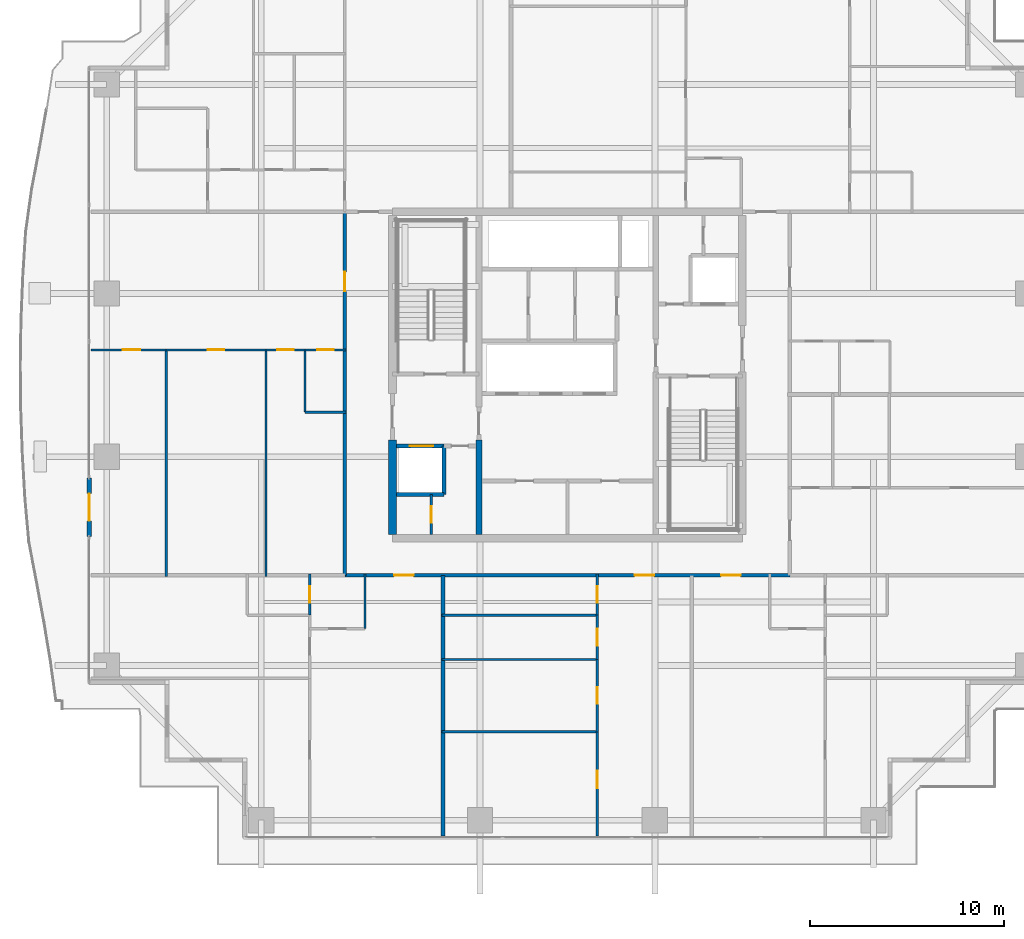
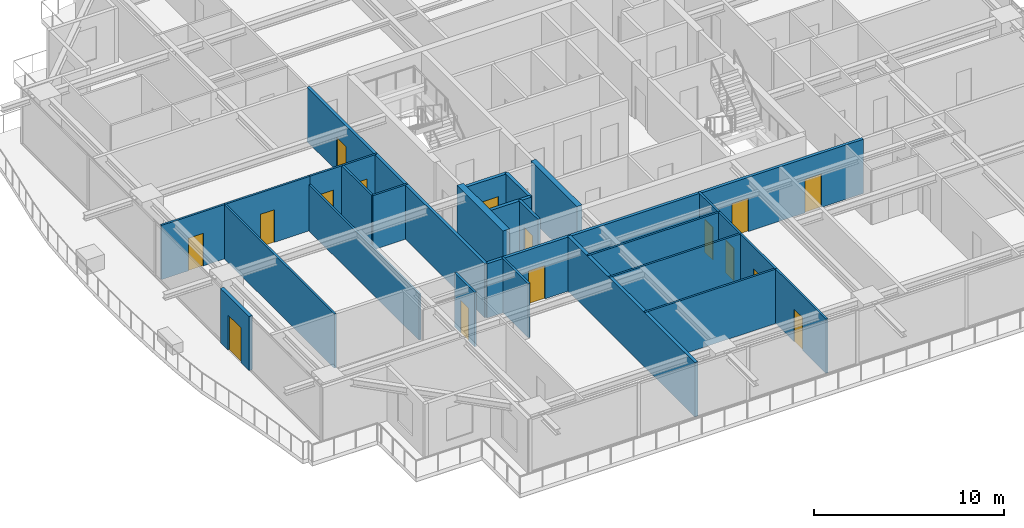
# One storey, part 27 of 37: 27 walls, 16 doors, 16 openings.
"""IFC4 building model written with IfcOpenShell, lengths in metres."""

from ifc_helpers import new_model, si_unit, direction, frame, frame_2d, origin, place, context, subcontext, project, spatial, rectangle, extrude, source, transform, mapped, material, layer, layer_set, type_object, element, fill, save


model = new_model("IFC4")

# Units and contexts
model_context = context("Model", 3, precision=1e-05, world=origin(), true_north=direction((0.0, 1.0)))
body_context = subcontext(model_context, "Body", "Model", "MODEL_VIEW")
ifc_project = project(units=[si_unit("LENGTHUNIT", "METRE"), si_unit("AREAUNIT", "SQUARE_METRE"), si_unit("VOLUMEUNIT", "CUBIC_METRE"), si_unit("PLANEANGLEUNIT", "RADIAN"), si_unit("MASSUNIT", "GRAM", prefix="KILO")], contexts=[model_context])

# Site, building, storey
site_placement = place(None, origin())
site = spatial("IfcSite", under=ifc_project, at=site_placement, CompositionType="ELEMENT")
building_placement = place(site_placement, origin())
building = spatial("IfcBuilding", under=site, at=building_placement, Name="Serunith Strait Residences", CompositionType="ELEMENT")
storey_placement = place(building_placement, frame((0.0, 0.0, 138.89990234375)))
storey = spatial("IfcBuildingStorey", under=building, at=storey_placement, Name="L34", CompositionType="ELEMENT", Elevation=138.89990234375)

# Wall, opening, door
ifc_material_1 = material(Name="Pale-Champagne Aluminium Insulated Panel", Category="aluminium")
ifc_layer_1 = layer(ifc_material_1, 0.219970703125, Name="Pale-Champagne Aluminium Insulated Panel")
ifc_layer_set_1 = layer_set([ifc_layer_1], Name="Pale-Champagne Aluminium Insulated Panel")
wall_type_1 = type_object("IfcWallType", Name="EW-ALUM-220", PredefinedType="ELEMENTEDWALL", material=ifc_layer_set_1)
wall_1_placement = place(storey_placement, frame((7.800048828125, 19.89990234375, 0.0), z_axis=(0.0, 0.0, 1.0), x_axis=(0.0, -1.0, 0.0)))
wall_1 = element("IfcWall", 1, at=wall_1_placement, inside=storey, type_object=wall_type_1, Name="L34 W Facade Pier Wall", PredefinedType="ELEMENTEDWALL", context=body_context, shape_type="SweptSolid", body=[
    extrude(rectangle(XDim=3.0, YDim=0.219970703125, at=frame_2d((1.5, 0.0))), origin(), (0.0, 0.0, 1.0), 3.47509765625),
])
opening_1_placement = place(wall_1_placement, frame((0.800048828125, 0.0, 0.0)))
opening_1 = element("IfcOpeningElement", 2, at=opening_1_placement, cuts=wall_1, Name="Opening ED-04", PredefinedType="OPENING", context=body_context, shape_type="SweptSolid", body=[
    extrude(rectangle(XDim=1.39990234375, YDim=2.25, at=frame_2d((0.699951171875, 1.125))), frame((0.0, 0.1201171875, 0.0), z_axis=(0.0, -1.0, 0.0), x_axis=(1.0, 0.0, 0.0)), (0.0, 0.0, 1.0), 0.239990234375),
])
ifc_material_2 = material(Name="Thermally-Broken Aluminium Sliding Balcony Door", Category="aluminium")
door_type_1 = type_object("IfcDoorType", Name="ED-BALC-1400", OperationType="NOTDEFINED", PredefinedType="DOOR", material=ifc_material_2)
shared_shape_1 = source(origin(), body_context, "Body", "SweptSolid", [
    extrude(rectangle(XDim=1.39990234375, YDim=2.25, at=frame_2d((0.699951171875, 1.125))), frame((0.0, 0.02490234375, 0.0), z_axis=(0.0, -1.0, 0.0), x_axis=(1.0, 0.0, 0.0)), (0.0, 0.0, 1.0), 0.050048828125),
])
door_1_placement = place(opening_1_placement, origin())
door_1 = element("IfcDoor", 3, at=door_1_placement, inside=storey, type_object=door_type_1, Name="L34 W Vertical-Forest Balcony Door", OperationType="SLIDING_TO_LEFT", OverallHeight=2.25, OverallWidth=1.39990234375, PredefinedType="DOOR", context=body_context, shape_type="MappedRepresentation", body=[
    mapped(shared_shape_1, transform((0.0, 0.0, 0.0), scale=1.0)),
])
fill(opening_1, door_1)

ifc_material_3 = material(Name="Fire-rated masonry service closet wall", Category="masonry")
ifc_layer_2 = layer(ifc_material_3, 0.14990234375, Name="Fire-rated masonry service closet wall")
ifc_layer_set_2 = layer_set([ifc_layer_2], Name="Fire-rated masonry service closet wall")
wall_type_2 = type_object("IfcWallType", Name="IW-BOH-150", PredefinedType="PARTITIONING", material=ifc_layer_set_2)
wall_2_placement = place(storey_placement, frame((25.39990234375, 17.0, 0.0), z_axis=(0.0, 0.0, 1.0), x_axis=(0.0, 1.0, 0.0)))
wall_2 = element("IfcWall", 4, at=wall_2_placement, inside=storey, type_object=wall_type_2, Name="L34 Partition Wall 012", PredefinedType="PARTITIONING", context=body_context, shape_type="SweptSolid", body=[
    extrude(rectangle(XDim=2.050048828125, YDim=0.14990234375, at=frame_2d((1.02490234375, 0.0))), origin(), (0.0, 0.0, 1.0), 3.489990234375),
])
opening_2_placement = place(wall_2_placement, frame((0.60009765625, 0.0, 0.0)))
opening_2 = element("IfcOpeningElement", 5, at=opening_2_placement, cuts=wall_2, Name="Opening FD-850", PredefinedType="OPENING", context=body_context, shape_type="SweptSolid", body=[
    extrude(rectangle(XDim=0.85009765625, YDim=2.10009765625, at=frame_2d((0.425048828125, 1.050048828125))), frame((0.0, 0.0849609375, 0.0), z_axis=(0.0, -1.0, 0.0), x_axis=(1.0, 0.0, 0.0)), (0.0, 0.0, 1.0), 0.169921875),
])
ifc_material_4 = material(Name="Powder-coated steel service closet door", Category="steel")
door_type_2 = type_object("IfcDoorType", Name="FD-BOH-850", OperationType="NOTDEFINED", PredefinedType="DOOR", material=ifc_material_4)
shared_shape_2 = source(origin(), body_context, "Body", "SweptSolid", [
    extrude(rectangle(XDim=0.85009765625, YDim=2.10009765625, at=frame_2d((0.425048828125, 1.050048828125))), frame((0.0, 0.02490234375, 0.0), z_axis=(0.0, -1.0, 0.0), x_axis=(1.0, 0.0, 0.0)), (0.0, 0.0, 1.0), 0.050048828125),
])
door_2_placement = place(opening_2_placement, origin())
door_2 = element("IfcDoor", 6, at=door_2_placement, inside=storey, type_object=door_type_2, Name="L34 Sprinkler Plant Door", OperationType="SINGLE_SWING_LEFT", OverallHeight=2.10009765625, OverallWidth=0.85009765625, PredefinedType="DOOR", context=body_context, shape_type="MappedRepresentation", body=[
    mapped(shared_shape_2, transform((0.0, 0.0, 0.0), scale=1.0)),
])
fill(opening_2, door_2)

# Wall, openings, doors
ifc_material_5 = material(Name="Fire-rated acoustic gypsum partition")
ifc_layer_3 = layer(ifc_material_5, 0.179931640625, Name="Fire-rated acoustic gypsum partition")
ifc_layer_set_3 = layer_set([ifc_layer_3], Name="Fire-rated acoustic gypsum partition")
wall_type_3 = type_object("IfcWallType", Name="IW-CORR-180", PredefinedType="PARTITIONING", material=ifc_layer_set_3)
wall_3_placement = place(storey_placement, frame((20.951904296875, 14.89990234375, 0.0), z_axis=(0.0, 0.0, 1.0), x_axis=(1.0, 0.0, 0.0)))
wall_3 = element("IfcWall", 7, at=wall_3_placement, inside=storey, type_object=wall_type_3, Name="L34 Partition Wall 028", PredefinedType="PARTITIONING", context=body_context, shape_type="SweptSolid", body=[
    extrude(rectangle(XDim=22.89599609375, YDim=0.179931640625, at=frame_2d((11.447998046875, 0.0))), origin(), (0.0, 0.0, 1.0), 3.489990234375),
])
opening_3_placement = place(wall_3_placement, frame((2.5400390625, 0.0, 0.0)))
opening_3 = element("IfcOpeningElement", 8, at=opening_3_placement, cuts=wall_3, Name="Opening D-APT1000", PredefinedType="OPENING", context=body_context, shape_type="SweptSolid", body=[
    extrude(rectangle(XDim=1.0, YDim=2.14990234375, at=frame_2d((0.5, 1.074951171875))), frame((0.0, 0.10009765625, 0.0), z_axis=(0.0, -1.0, 0.0), x_axis=(1.0, 0.0, 0.0)), (0.0, 0.0, 1.0), 0.199951171875),
])
opening_4_placement = place(wall_3_placement, frame((14.910888671875, 0.0, 0.0)))
opening_4 = element("IfcOpeningElement", 9, at=opening_4_placement, cuts=wall_3, Name="Opening D-APT1000", PredefinedType="OPENING", context=body_context, shape_type="SweptSolid", body=[
    extrude(rectangle(XDim=1.0, YDim=2.14990234375, at=frame_2d((0.5, 1.074951171875))), frame((0.0, 0.10009765625, 0.0), z_axis=(0.0, -1.0, 0.0), x_axis=(1.0, 0.0, 0.0)), (0.0, 0.0, 1.0), 0.199951171875),
])
opening_5_placement = place(wall_3_placement, frame((19.35595703125, 0.0, 0.0)))
opening_5 = element("IfcOpeningElement", 10, at=opening_5_placement, cuts=wall_3, Name="Opening D-APT1000", PredefinedType="OPENING", context=body_context, shape_type="SweptSolid", body=[
    extrude(rectangle(XDim=1.0, YDim=2.14990234375, at=frame_2d((0.5, 1.074951171875))), frame((0.0, 0.10009765625, 0.0), z_axis=(0.0, -1.0, 0.0), x_axis=(1.0, 0.0, 0.0)), (0.0, 0.0, 1.0), 0.199951171875),
])
ifc_material_6 = material(Name="Solid timber engineered fire door", Category="wood")
door_type_3 = type_object("IfcDoorType", Name="ID-APT-1000", OperationType="NOTDEFINED", PredefinedType="DOOR", material=ifc_material_6)
shared_shape_3 = source(origin(), body_context, "Body", "SweptSolid", [
    extrude(rectangle(XDim=1.0, YDim=2.14990234375, at=frame_2d((0.5, 1.074951171875))), frame((0.0, 0.02490234375, 0.0), z_axis=(0.0, -1.0, 0.0), x_axis=(1.0, 0.0, 0.0)), (0.0, 0.0, 1.0), 0.050048828125),
])
door_3_placement = place(opening_3_placement, origin())
door_3 = element("IfcDoor", 11, at=door_3_placement, inside=storey, type_object=door_type_3, Name="L34 Unit 01 Entrance Door", OperationType="SINGLE_SWING_RIGHT", OverallHeight=2.14990234375, OverallWidth=1.0, PredefinedType="DOOR", context=body_context, shape_type="MappedRepresentation", body=[
    mapped(shared_shape_3, transform((0.0, 0.0, 0.0), scale=1.0)),
])
fill(opening_3, door_3)
door_4_placement = place(opening_4_placement, origin())
door_4 = element("IfcDoor", 12, at=door_4_placement, inside=storey, type_object=door_type_3, Name="L34 Unit 02 Entrance Door", OperationType="SINGLE_SWING_LEFT", OverallHeight=2.14990234375, OverallWidth=1.0, PredefinedType="DOOR", context=body_context, shape_type="MappedRepresentation", body=[
    mapped(shared_shape_3, transform((0.0, 0.0, 0.0), scale=1.0)),
])
fill(opening_4, door_4)
door_5_placement = place(opening_5_placement, origin())
door_5 = element("IfcDoor", 13, at=door_5_placement, inside=storey, type_object=door_type_3, Name="L34 Unit 03 Entrance Door", OperationType="SINGLE_SWING_RIGHT", OverallHeight=2.14990234375, OverallWidth=1.0, PredefinedType="DOOR", context=body_context, shape_type="MappedRepresentation", body=[
    mapped(shared_shape_3, transform((0.0, 0.0, 0.0), scale=1.0)),
])
fill(opening_5, door_5)

# Wall, opening, door
wall_4_placement = place(storey_placement, frame((20.949951171875, 14.89990234375, 0.0), z_axis=(0.0, 0.0, 1.0), x_axis=(0.0, 1.0, 0.0)))
wall_4 = element("IfcWall", 14, at=wall_4_placement, inside=storey, type_object=wall_type_3, Name="L34 Partition Wall 029", PredefinedType="PARTITIONING", context=body_context, shape_type="SweptSolid", body=[
    extrude(rectangle(XDim=18.7001953125, YDim=0.179931640625, at=frame_2d((9.35009765625, 0.0))), origin(), (0.0, 0.0, 1.0), 3.489990234375),
])
opening_6_placement = place(wall_4_placement, frame((14.60302734375, 0.0, 0.0)))
opening_6 = element("IfcOpeningElement", 15, at=opening_6_placement, cuts=wall_4, Name="Opening D-APT1000", PredefinedType="OPENING", context=body_context, shape_type="SweptSolid", body=[
    extrude(rectangle(XDim=1.0, YDim=2.14990234375, at=frame_2d((0.5, 1.074951171875))), frame((0.0, 0.10009765625, 0.0), z_axis=(0.0, -1.0, 0.0), x_axis=(1.0, 0.0, 0.0)), (0.0, 0.0, 1.0), 0.199951171875),
])
door_6_placement = place(opening_6_placement, origin())
door_6 = element("IfcDoor", 16, at=door_6_placement, inside=storey, type_object=door_type_3, Name="L34 Unit 06 Entrance Door", OperationType="SINGLE_SWING_LEFT", OverallHeight=2.14990234375, OverallWidth=1.0, PredefinedType="DOOR", context=body_context, shape_type="MappedRepresentation", body=[
    mapped(shared_shape_3, transform((0.0, 0.0, 0.0), scale=1.0)),
])
fill(opening_6, door_6)

# Wall
ifc_material_7 = material(Name="Lightweight steel-stud gypsum partition", Category="steel")
ifc_layer_4 = layer(ifc_material_7, 0.1201171875, Name="Lightweight steel-stud gypsum partition")
ifc_layer_set_4 = layer_set([ifc_layer_4], Name="Lightweight steel-stud gypsum partition")
wall_type_4 = type_object("IfcWallType", Name="IW-PART-120", PredefinedType="PARTITIONING", material=ifc_layer_set_4)
wall_5_placement = place(storey_placement, frame((21.989990234375, 12.14990234375, 0.0), z_axis=(0.0, 0.0, 1.0), x_axis=(0.0, 1.0, 0.0)))
element("IfcWall", 17, at=wall_5_placement, inside=storey, type_object=wall_type_4, Name="L34 Partition Wall 034", PredefinedType="PARTITIONING", context=body_context, shape_type="SweptSolid", body=[
    extrude(rectangle(XDim=2.81005859375, YDim=0.1201171875, at=frame_2d((1.405029296875, 0.0))), origin(), (0.0, 0.0, 1.0), 3.489990234375),
])

# Wall, opening, door
wall_6_placement = place(storey_placement, frame((19.139892578125, 12.85205078125, 0.0), z_axis=(0.0, 0.0, 1.0), x_axis=(0.0, 1.0, 0.0)))
wall_6 = element("IfcWall", 18, at=wall_6_placement, inside=storey, type_object=wall_type_4, Name="L34 Partition Wall 040", PredefinedType="PARTITIONING", context=body_context, shape_type="SweptSolid", body=[
    extrude(rectangle(XDim=2.10791015625, YDim=0.1201171875, at=frame_2d((1.053955078125, 0.0))), origin(), (0.0, 0.0, 1.0), 3.489990234375),
])
opening_7_placement = place(wall_6_placement, frame((0.62890625, 0.0, 0.0)))
opening_7 = element("IfcOpeningElement", 19, at=opening_7_placement, cuts=wall_6, Name="Opening D-BTH850", PredefinedType="OPENING", context=body_context, shape_type="SweptSolid", body=[
    extrude(rectangle(XDim=0.85009765625, YDim=2.10009765625, at=frame_2d((0.425048828125, 1.050048828125))), frame((0.0, 0.070068359375, 0.0), z_axis=(0.0, -1.0, 0.0), x_axis=(1.0, 0.0, 0.0)), (0.0, 0.0, 1.0), 0.14013671875),
])
ifc_material_8 = material(Name="Moisture-resistant timber bathroom door", Category="wood")
door_type_4 = type_object("IfcDoorType", Name="ID-BATH-850", OperationType="NOTDEFINED", PredefinedType="DOOR", material=ifc_material_8)
door_7_placement = place(opening_7_placement, origin())
door_7 = element("IfcDoor", 20, at=door_7_placement, inside=storey, type_object=door_type_4, Name="L34 Bathroom 3401 Door", OperationType="SINGLE_SWING_LEFT", OverallHeight=2.10009765625, OverallWidth=0.85009765625, PredefinedType="DOOR", context=body_context, shape_type="MappedRepresentation", body=[
    mapped(shared_shape_2, transform((0.0, 0.0, 0.0), scale=1.0)),
])
fill(opening_7, door_7)

wall_7_placement = place(storey_placement, frame((33.93994140625, 1.4951171875, 0.0), z_axis=(0.0, 0.0, 1.0), x_axis=(0.0, 1.0, 0.0)))
wall_7 = element("IfcWall", 21, at=wall_7_placement, inside=storey, type_object=wall_type_4, Name="L34 Partition Wall 041", PredefinedType="PARTITIONING", context=body_context, shape_type="SweptSolid", body=[
    extrude(rectangle(XDim=5.348876953125, YDim=0.1201171875, at=frame_2d((2.67431640625, 0.0))), origin(), (0.0, 0.0, 1.0), 3.489990234375),
])
opening_8_placement = place(wall_7_placement, frame((2.447021484375, 0.0, 0.0)))
opening_8 = element("IfcOpeningElement", 22, at=opening_8_placement, cuts=wall_7, Name="Opening D-RM900", PredefinedType="OPENING", context=body_context, shape_type="SweptSolid", body=[
    extrude(rectangle(XDim=0.89990234375, YDim=2.10009765625, at=frame_2d((0.449951171875, 1.050048828125))), frame((0.0, 0.070068359375, 0.0), z_axis=(0.0, -1.0, 0.0), x_axis=(1.0, 0.0, 0.0)), (0.0, 0.0, 1.0), 0.14013671875),
])
ifc_material_9 = material(Name="Engineered timber flush bedroom door", Category="wood")
door_type_5 = type_object("IfcDoorType", Name="ID-ROOM-900", OperationType="NOTDEFINED", PredefinedType="DOOR", material=ifc_material_9)
shared_shape_4 = source(origin(), body_context, "Body", "SweptSolid", [
    extrude(rectangle(XDim=0.89990234375, YDim=2.10009765625, at=frame_2d((0.449951171875, 1.050048828125))), frame((0.0, 0.02490234375, 0.0), z_axis=(0.0, -1.0, 0.0), x_axis=(1.0, 0.0, 0.0)), (0.0, 0.0, 1.0), 0.050048828125),
])
door_8_placement = place(opening_8_placement, origin())
door_8 = element("IfcDoor", 23, at=door_8_placement, inside=storey, type_object=door_type_5, Name="L34 Master Bedroom 1 3402 Door", OperationType="SINGLE_SWING_RIGHT", OverallHeight=2.10009765625, OverallWidth=0.89990234375, PredefinedType="DOOR", context=body_context, shape_type="MappedRepresentation", body=[
    mapped(shared_shape_4, transform((0.0, 0.0, 0.0), scale=1.0)),
])
fill(opening_8, door_8)

# Walls
for number, where, z_axis, x_axis, name in (
    (24, (25.93994140625, 6.843994140625, 0.0), (0.0, 0.0, 1.0), (1.0, 0.0, 0.0), "L34 Partition Wall 042"),
    (25, (25.93994140625, 10.570068359375, 0.0), (0.0, 0.0, 1.0), (1.0, 0.0, 0.0), "L34 Partition Wall 043"),
    (26, (25.93994140625, 12.85009765625, 0.0), (0.0, 0.0, 1.0), (1.0, 0.0, 0.0), "L34 Partition Wall 044"),
):
    element("IfcWall", number, at=place(storey_placement, frame(where, z_axis=z_axis, x_axis=x_axis)), inside=storey, type_object=wall_type_4, Name=name, PredefinedType="PARTITIONING", context=body_context, shape_type="SweptSolid", body=[
        extrude(rectangle(XDim=8.0, YDim=0.1201171875, at=frame_2d((4.0, 0.0))), origin(), (0.0, 0.0, 1.0), 3.489990234375),
    ])

# Wall, opening, door
wall_8_placement = place(storey_placement, frame((33.93994140625, 6.845947265625, 0.0), z_axis=(0.0, 0.0, 1.0), x_axis=(0.0, 1.0, 0.0)))
wall_8 = element("IfcWall", 27, at=wall_8_placement, inside=storey, type_object=wall_type_4, Name="L34 Partition Wall 045", PredefinedType="PARTITIONING", context=body_context, shape_type="SweptSolid", body=[
    extrude(rectangle(XDim=3.72412109375, YDim=0.1201171875, at=frame_2d((1.862060546875, 0.0))), origin(), (0.0, 0.0, 1.0), 3.489990234375),
])
opening_9_placement = place(wall_8_placement, frame((1.43701171875, 0.0, 0.0)))
opening_9 = element("IfcOpeningElement", 28, at=opening_9_placement, cuts=wall_8, Name="Opening D-RM850", PredefinedType="OPENING", context=body_context, shape_type="SweptSolid", body=[
    extrude(rectangle(XDim=0.85009765625, YDim=2.10009765625, at=frame_2d((0.425048828125, 1.050048828125))), frame((0.0, 0.070068359375, 0.0), z_axis=(0.0, -1.0, 0.0), x_axis=(1.0, 0.0, 0.0)), (0.0, 0.0, 1.0), 0.14013671875),
])
ifc_material_10 = material(Name="Engineered timber flush study and kitchen door", Category="wood")
door_type_6 = type_object("IfcDoorType", Name="ID-ROOM-850", OperationType="NOTDEFINED", PredefinedType="DOOR", material=ifc_material_10)
door_9_placement = place(opening_9_placement, origin())
door_9 = element("IfcDoor", 29, at=door_9_placement, inside=storey, type_object=door_type_6, Name="L34 Dining 3402 Door", OperationType="SINGLE_SWING_LEFT", OverallHeight=2.10009765625, OverallWidth=0.85009765625, PredefinedType="DOOR", context=body_context, shape_type="MappedRepresentation", body=[
    mapped(shared_shape_2, transform((0.0, 0.0, 0.0), scale=1.0)),
])
fill(opening_9, door_9)

wall_9_placement = place(storey_placement, frame((33.93994140625, 10.572021484375, 0.0), z_axis=(0.0, 0.0, 1.0), x_axis=(0.0, 1.0, 0.0)))
wall_9 = element("IfcWall", 30, at=wall_9_placement, inside=storey, type_object=wall_type_4, Name="L34 Partition Wall 046", PredefinedType="PARTITIONING", context=body_context, shape_type="SweptSolid", body=[
    extrude(rectangle(XDim=2.278076171875, YDim=0.1201171875, at=frame_2d((1.13916015625, 0.0))), origin(), (0.0, 0.0, 1.0), 3.489990234375),
])
opening_10_placement = place(wall_9_placement, frame((0.714111328125, 0.0, 0.0)))
opening_10 = element("IfcOpeningElement", 31, at=opening_10_placement, cuts=wall_9, Name="Opening D-RM850", PredefinedType="OPENING", context=body_context, shape_type="SweptSolid", body=[
    extrude(rectangle(XDim=0.85009765625, YDim=2.10009765625, at=frame_2d((0.425048828125, 1.050048828125))), frame((0.0, 0.070068359375, 0.0), z_axis=(0.0, -1.0, 0.0), x_axis=(1.0, 0.0, 0.0)), (0.0, 0.0, 1.0), 0.14013671875),
])
door_10_placement = place(opening_10_placement, origin())
door_10 = element("IfcDoor", 32, at=door_10_placement, inside=storey, type_object=door_type_6, Name="L34 Kitchen 3402 Door", OperationType="SINGLE_SWING_RIGHT", OverallHeight=2.10009765625, OverallWidth=0.85009765625, PredefinedType="DOOR", context=body_context, shape_type="MappedRepresentation", body=[
    mapped(shared_shape_2, transform((0.0, 0.0, 0.0), scale=1.0)),
])
fill(opening_10, door_10)

wall_10_placement = place(storey_placement, frame((33.93994140625, 12.85205078125, 0.0), z_axis=(0.0, 0.0, 1.0), x_axis=(0.0, 1.0, 0.0)))
wall_10 = element("IfcWall", 33, at=wall_10_placement, inside=storey, type_object=wall_type_4, Name="L34 Partition Wall 047", PredefinedType="PARTITIONING", context=body_context, shape_type="SweptSolid", body=[
    extrude(rectangle(XDim=2.10791015625, YDim=0.1201171875, at=frame_2d((1.053955078125, 0.0))), origin(), (0.0, 0.0, 1.0), 3.489990234375),
])
opening_11_placement = place(wall_10_placement, frame((0.62890625, 0.0, 0.0)))
opening_11 = element("IfcOpeningElement", 34, at=opening_11_placement, cuts=wall_10, Name="Opening D-BTH850", PredefinedType="OPENING", context=body_context, shape_type="SweptSolid", body=[
    extrude(rectangle(XDim=0.85009765625, YDim=2.10009765625, at=frame_2d((0.425048828125, 1.050048828125))), frame((0.0, 0.070068359375, 0.0), z_axis=(0.0, -1.0, 0.0), x_axis=(1.0, 0.0, 0.0)), (0.0, 0.0, 1.0), 0.14013671875),
])
door_11_placement = place(opening_11_placement, origin())
door_11 = element("IfcDoor", 35, at=door_11_placement, inside=storey, type_object=door_type_4, Name="L34 Bathroom 3402 Door", OperationType="SINGLE_SWING_LEFT", OverallHeight=2.10009765625, OverallWidth=0.85009765625, PredefinedType="DOOR", context=body_context, shape_type="MappedRepresentation", body=[
    mapped(shared_shape_2, transform((0.0, 0.0, 0.0), scale=1.0)),
])
fill(opening_11, door_11)

wall_11_placement = place(storey_placement, frame((7.89501953125, 26.489990234375, 0.0), z_axis=(0.0, 0.0, 1.0), x_axis=(1.0, 0.0, 0.0)))
wall_11 = element("IfcWall", 36, at=wall_11_placement, inside=storey, type_object=wall_type_4, Name="L34 Partition Wall 083", PredefinedType="PARTITIONING", context=body_context, shape_type="SweptSolid", body=[
    extrude(rectangle(XDim=3.864013671875, YDim=0.1201171875, at=frame_2d((1.93212890625, 0.0))), origin(), (0.0, 0.0, 1.0), 3.489990234375),
])
opening_12_placement = place(wall_11_placement, frame((1.6298828125, 0.0, 0.0)))
opening_12 = element("IfcOpeningElement", 37, at=opening_12_placement, cuts=wall_11, Name="Opening D-RM900", PredefinedType="OPENING", context=body_context, shape_type="SweptSolid", body=[
    extrude(rectangle(XDim=0.89990234375, YDim=2.10009765625, at=frame_2d((0.449951171875, 1.050048828125))), frame((0.0, 0.070068359375, 0.0), z_axis=(0.0, -1.0, 0.0), x_axis=(1.0, 0.0, 0.0)), (0.0, 0.0, 1.0), 0.14013671875),
])
door_12_placement = place(opening_12_placement, origin())
door_12 = element("IfcDoor", 38, at=door_12_placement, inside=storey, type_object=door_type_5, Name="L34 Master Bedroom 1 3406 Door", OperationType="SINGLE_SWING_RIGHT", OverallHeight=2.10009765625, OverallWidth=0.89990234375, PredefinedType="DOOR", context=body_context, shape_type="MappedRepresentation", body=[
    mapped(shared_shape_4, transform((0.0, 0.0, 0.0), scale=1.0)),
])
fill(opening_12, door_12)

# Walls
wall_12_placement = place(storey_placement, frame((11.759033203125, 14.840087890625, 0.0), z_axis=(0.0, 0.0, 1.0), x_axis=(0.0, 1.0, 0.0)))
element("IfcWall", 39, at=wall_12_placement, inside=storey, type_object=wall_type_4, Name="L34 Partition Wall 084", PredefinedType="PARTITIONING", context=body_context, shape_type="SweptSolid", body=[
    extrude(rectangle(XDim=11.64990234375, YDim=0.1201171875, at=frame_2d((5.824951171875, 0.0))), origin(), (0.0, 0.0, 1.0), 3.489990234375),
])
wall_13_placement = place(storey_placement, frame((16.89990234375, 14.840087890625, 0.0), z_axis=(0.0, 0.0, 1.0), x_axis=(0.0, 1.0, 0.0)))
element("IfcWall", 40, at=wall_13_placement, inside=storey, type_object=wall_type_4, Name="L34 Partition Wall 085", PredefinedType="PARTITIONING", context=body_context, shape_type="SweptSolid", body=[
    extrude(rectangle(XDim=11.64990234375, YDim=0.1201171875, at=frame_2d((5.824951171875, 0.0))), origin(), (0.0, 0.0, 1.0), 2.97216796875),
])
wall_14_placement = place(storey_placement, frame((18.89990234375, 23.2900390625, 0.0), z_axis=(0.0, 0.0, 1.0), x_axis=(0.0, 1.0, 0.0)))
element("IfcWall", 41, at=wall_14_placement, inside=storey, type_object=wall_type_4, Name="L34 Partition Wall 086", PredefinedType="PARTITIONING", context=body_context, shape_type="SweptSolid", body=[
    extrude(rectangle(XDim=3.199951171875, YDim=0.1201171875, at=frame_2d((1.60009765625, 0.0))), origin(), (0.0, 0.0, 1.0), 3.489990234375),
])
wall_15_placement = place(storey_placement, frame((18.89990234375, 23.2900390625, 0.0), z_axis=(0.0, 0.0, 1.0), x_axis=(1.0, 0.0, 0.0)))
element("IfcWall", 42, at=wall_15_placement, inside=storey, type_object=wall_type_4, Name="L34 Partition Wall 087", PredefinedType="PARTITIONING", context=body_context, shape_type="SweptSolid", body=[
    extrude(rectangle(XDim=2.110107421875, YDim=0.1201171875, at=frame_2d((1.05517578125, 0.0))), origin(), (0.0, 0.0, 1.0), 3.489990234375),
])

# Wall, opening, door
wall_16_placement = place(storey_placement, frame((11.760986328125, 26.489990234375, 0.0), z_axis=(0.0, 0.0, 1.0), x_axis=(1.0, 0.0, 0.0)))
wall_16 = element("IfcWall", 43, at=wall_16_placement, inside=storey, type_object=wall_type_4, Name="L34 Partition Wall 088", PredefinedType="PARTITIONING", context=body_context, shape_type="SweptSolid", body=[
    extrude(rectangle(XDim=5.138916015625, YDim=0.1201171875, at=frame_2d((2.5693359375, 0.0))), origin(), (0.0, 0.0, 1.0), 3.489990234375),
])
opening_13_placement = place(wall_16_placement, frame((2.14404296875, 0.0, 0.0)))
opening_13 = element("IfcOpeningElement", 44, at=opening_13_placement, cuts=wall_16, Name="Opening D-RM850", PredefinedType="OPENING", context=body_context, shape_type="SweptSolid", body=[
    extrude(rectangle(XDim=0.85009765625, YDim=2.10009765625, at=frame_2d((0.425048828125, 1.050048828125))), frame((0.0, 0.070068359375, 0.0), z_axis=(0.0, -1.0, 0.0), x_axis=(1.0, 0.0, 0.0)), (0.0, 0.0, 1.0), 0.14013671875),
])
door_13_placement = place(opening_13_placement, origin())
door_13 = element("IfcDoor", 45, at=door_13_placement, inside=storey, type_object=door_type_6, Name="L34 Dining 3406 Door", OperationType="SINGLE_SWING_LEFT", OverallHeight=2.10009765625, OverallWidth=0.85009765625, PredefinedType="DOOR", context=body_context, shape_type="MappedRepresentation", body=[
    mapped(shared_shape_2, transform((0.0, 0.0, 0.0), scale=1.0)),
])
fill(opening_13, door_13)

wall_17_placement = place(storey_placement, frame((16.902099609375, 26.489990234375, 0.0), z_axis=(0.0, 0.0, 1.0), x_axis=(1.0, 0.0, 0.0)))
wall_17 = element("IfcWall", 46, at=wall_17_placement, inside=storey, type_object=wall_type_4, Name="L34 Partition Wall 089", PredefinedType="PARTITIONING", context=body_context, shape_type="SweptSolid", body=[
    extrude(rectangle(XDim=1.997802734375, YDim=0.1201171875, at=frame_2d((0.9990234375, 0.0))), origin(), (0.0, 0.0, 1.0), 3.489990234375),
])
opening_14_placement = place(wall_17_placement, frame((0.573974609375, 0.0, 0.0)))
opening_14 = element("IfcOpeningElement", 47, at=opening_14_placement, cuts=wall_17, Name="Opening D-RM850", PredefinedType="OPENING", context=body_context, shape_type="SweptSolid", body=[
    extrude(rectangle(XDim=0.85009765625, YDim=2.10009765625, at=frame_2d((0.425048828125, 1.050048828125))), frame((0.0, 0.070068359375, 0.0), z_axis=(0.0, -1.0, 0.0), x_axis=(1.0, 0.0, 0.0)), (0.0, 0.0, 1.0), 0.14013671875),
])
door_14_placement = place(opening_14_placement, origin())
door_14 = element("IfcDoor", 48, at=door_14_placement, inside=storey, type_object=door_type_6, Name="L34 Kitchen 3406 Door", OperationType="SINGLE_SWING_RIGHT", OverallHeight=2.10009765625, OverallWidth=0.85009765625, PredefinedType="DOOR", context=body_context, shape_type="MappedRepresentation", body=[
    mapped(shared_shape_2, transform((0.0, 0.0, 0.0), scale=1.0)),
])
fill(opening_14, door_14)

wall_18_placement = place(storey_placement, frame((18.902099609375, 26.489990234375, 0.0), z_axis=(0.0, 0.0, 1.0), x_axis=(1.0, 0.0, 0.0)))
wall_18 = element("IfcWall", 49, at=wall_18_placement, inside=storey, type_object=wall_type_4, Name="L34 Partition Wall 090", PredefinedType="PARTITIONING", context=body_context, shape_type="SweptSolid", body=[
    extrude(rectangle(XDim=2.10791015625, YDim=0.1201171875, at=frame_2d((1.053955078125, 0.0))), origin(), (0.0, 0.0, 1.0), 3.489990234375),
])
opening_15_placement = place(wall_18_placement, frame((0.62890625, 0.0, 0.0)))
opening_15 = element("IfcOpeningElement", 50, at=opening_15_placement, cuts=wall_18, Name="Opening D-BTH850", PredefinedType="OPENING", context=body_context, shape_type="SweptSolid", body=[
    extrude(rectangle(XDim=0.85009765625, YDim=2.10009765625, at=frame_2d((0.425048828125, 1.050048828125))), frame((0.0, 0.070068359375, 0.0), z_axis=(0.0, -1.0, 0.0), x_axis=(1.0, 0.0, 0.0)), (0.0, 0.0, 1.0), 0.14013671875),
])
door_15_placement = place(opening_15_placement, origin())
door_15 = element("IfcDoor", 51, at=door_15_placement, inside=storey, type_object=door_type_4, Name="L34 Bathroom 3406 Door", OperationType="SINGLE_SWING_LEFT", OverallHeight=2.10009765625, OverallWidth=0.85009765625, PredefinedType="DOOR", context=body_context, shape_type="MappedRepresentation", body=[
    mapped(shared_shape_2, transform((0.0, 0.0, 0.0), scale=1.0)),
])
fill(opening_15, door_15)

# Wall
ifc_material_11 = material(Name="Twin-stud acoustic gypsum board partition")
ifc_layer_5 = layer(ifc_material_11, 0.199951171875, Name="Twin-stud acoustic gypsum board partition")
ifc_layer_set_5 = layer_set([ifc_layer_5], Name="Twin-stud acoustic gypsum board partition")
wall_type_5 = type_object("IfcWallType", Name="IW-PARTY-200", PredefinedType="PARTITIONING", material=ifc_layer_set_5)
wall_19_placement = place(storey_placement, frame((26.0, 1.48193359375, 0.0), z_axis=(0.0, 0.0, 1.0), x_axis=(0.0, 1.0, 0.0)))
element("IfcWall", 52, at=wall_19_placement, inside=storey, type_object=wall_type_5, Name="L34 Partition Wall 020", PredefinedType="PARTITIONING", context=body_context, shape_type="SweptSolid", body=[
    extrude(rectangle(XDim=13.41796875, YDim=0.199951171875, at=frame_2d((6.708984375, 0.0))), origin(), (0.0, 0.0, 1.0), 3.489990234375),
])

# Wall, opening, door
ifc_material_12 = material(Name="Autoclaved aerated concrete blockwork", Category="masonry")
ifc_layer_6 = layer(ifc_material_12, 0.199951171875, Name="Autoclaved aerated concrete blockwork")
ifc_layer_set_6 = layer_set([ifc_layer_6], Name="Autoclaved aerated concrete blockwork")
wall_type_6 = type_object("IfcWallType", Name="IW-SHAFT-200", PredefinedType="STANDARD", material=ifc_layer_set_6)
wall_20_placement = place(storey_placement, frame((23.60009765625, 21.550048828125, 0.0), z_axis=(0.0, 0.0, 1.0), x_axis=(1.0, 0.0, 0.0)))
wall_20 = element("IfcWall", 53, at=wall_20_placement, inside=storey, type_object=wall_type_6, Name="L34 FL-1 North Shaft Wall", PredefinedType="STANDARD", context=body_context, shape_type="SweptSolid", body=[
    extrude(rectangle(XDim=2.449951171875, YDim=0.199951171875, at=frame_2d((1.22509765625, 0.0))), origin(), (0.0, 0.0, 1.0), 3.489990234375),
])
opening_16_placement = place(wall_20_placement, frame((0.699951171875, 0.0, 0.0)))
opening_16 = element("IfcOpeningElement", 54, at=opening_16_placement, cuts=wall_20, Name="Opening LD-FF1200", PredefinedType="OPENING", context=body_context, shape_type="SweptSolid", body=[
    extrude(rectangle(XDim=1.199951171875, YDim=2.199951171875, at=frame_2d((0.60009765625, 1.10009765625))), frame((0.0, 0.10986328125, 0.0), z_axis=(0.0, -1.0, 0.0), x_axis=(1.0, 0.0, 0.0)), (0.0, 0.0, 1.0), 0.219970703125),
])
ifc_material_13 = material(Name="Brushed stainless steel landing door", Category="steel")
door_type_7 = type_object("IfcDoorType", Name="LD-FF-1200", OperationType="DOUBLE_DOOR_SLIDING", PredefinedType="DOOR", material=ifc_material_13)
shared_shape_5 = source(origin(), body_context, "Body", "SweptSolid", [
    extrude(rectangle(XDim=1.199951171875, YDim=2.199951171875, at=frame_2d((0.60009765625, 1.10009765625))), frame((0.0, 0.02490234375, 0.0), z_axis=(0.0, -1.0, 0.0), x_axis=(1.0, 0.0, 0.0)), (0.0, 0.0, 1.0), 0.050048828125),
])
door_16_placement = place(opening_16_placement, origin())
door_16 = element("IfcDoor", 55, at=door_16_placement, inside=storey, type_object=door_type_7, Name="L34 FL-1 Landing Door", OperationType="DOUBLE_DOOR_SLIDING", OverallHeight=2.199951171875, OverallWidth=1.199951171875, PredefinedType="DOOR", context=body_context, shape_type="MappedRepresentation", body=[
    mapped(shared_shape_5, transform((0.0, 0.0, 0.0), scale=1.0)),
])
fill(opening_16, door_16)

# Walls
wall_21_placement = place(storey_placement, frame((26.050048828125, 19.050048828125, 0.0), z_axis=(0.0, 0.0, 1.0), x_axis=(0.0, 1.0, 0.0)))
element("IfcWall", 56, at=wall_21_placement, inside=storey, type_object=wall_type_6, Name="L34 Partition Wall 001", PredefinedType="STANDARD", context=body_context, shape_type="SweptSolid", body=[
    extrude(rectangle(XDim=2.5, YDim=0.199951171875, at=frame_2d((1.25, 0.0))), origin(), (0.0, 0.0, 1.0), 3.489990234375),
])
wall_22_placement = place(storey_placement, frame((23.60009765625, 19.050048828125, 0.0), z_axis=(0.0, 0.0, 1.0), x_axis=(1.0, 0.0, 0.0)))
element("IfcWall", 57, at=wall_22_placement, inside=storey, type_object=wall_type_6, Name="L34 Partition Wall 002", PredefinedType="STANDARD", context=body_context, shape_type="SweptSolid", body=[
    extrude(rectangle(XDim=2.449951171875, YDim=0.199951171875, at=frame_2d((1.22509765625, 0.0))), origin(), (0.0, 0.0, 1.0), 3.489990234375),
])
ifc_material_14 = material(Name="Concrete C70/85", Category="concrete")
ifc_layer_7 = layer(ifc_material_14, 0.300048828125, Name="Concrete C70/85")
ifc_layer_set_7 = layer_set([ifc_layer_7], Name="Concrete C70/85")
wall_type_7 = type_object("IfcWallType", Name="SW-300-C70", PredefinedType="SHEAR", material=ifc_layer_set_7)
wall_23_placement = place(storey_placement, frame((27.85009765625, 17.0, -0.260009765625), z_axis=(0.0, 0.0, 1.0), x_axis=(0.0, 1.0, 0.0)))
element("IfcWall", 58, at=wall_23_placement, inside=storey, type_object=wall_type_7, Name="L34 Core Internal West Web South Pier", PredefinedType="SHEAR", context=body_context, shape_type="SweptSolid", body=[
    extrude(rectangle(XDim=4.85009765625, YDim=0.300048828125, at=frame_2d((2.425048828125, 0.0))), origin(), (0.0, 0.0, 1.0), 3.748046875),
])
ifc_layer_8 = layer(ifc_material_14, 0.39990234375, Name="Concrete C70/85")
ifc_layer_set_8 = layer_set([ifc_layer_8], Name="Concrete C70/85")
wall_type_8 = type_object("IfcWallType", Name="SW-400-C70", PredefinedType="SHEAR", material=ifc_layer_set_8)
wall_24_placement = place(storey_placement, frame((23.39990234375, 17.0, -0.260009765625), z_axis=(0.0, 0.0, 1.0), x_axis=(0.0, 1.0, 0.0)))
element("IfcWall", 59, at=wall_24_placement, inside=storey, type_object=wall_type_8, Name="L34 Core West Shear Wall South Pier", PredefinedType="SHEAR", context=body_context, shape_type="SweptSolid", body=[
    extrude(rectangle(XDim=4.85009765625, YDim=0.39990234375, at=frame_2d((2.425048828125, 0.0))), origin(), (0.0, 0.0, 1.0), 3.748046875),
])

save(model, "model.ifc")
